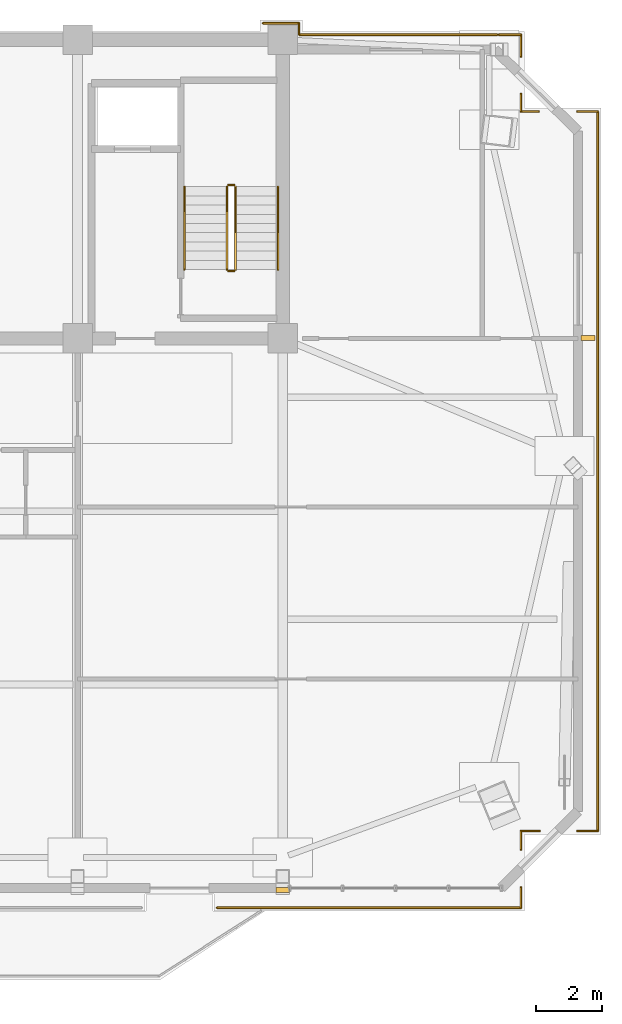
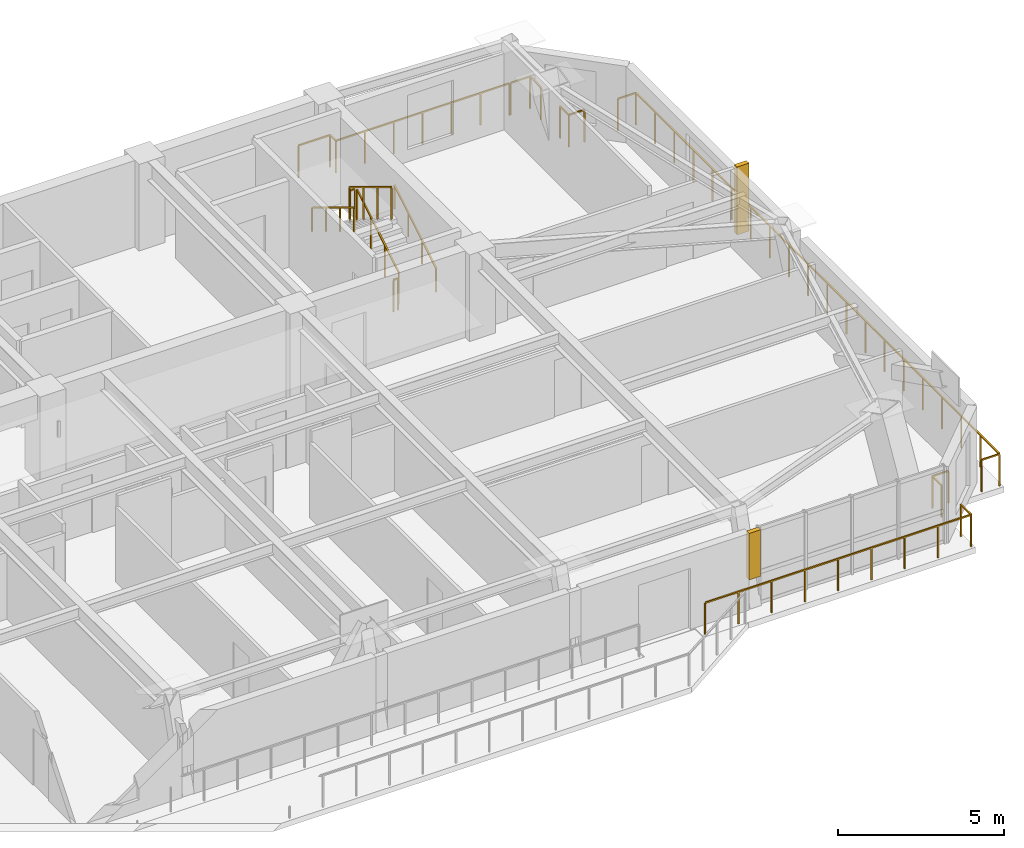
# One storey, part 14 of 14: 20 railings, 1 covering, 1 shading device.
"""IFC4 building model written with IfcOpenShell, lengths in metres."""

from ifc_helpers import new_model, si_unit, direction, frame, origin, origin_2d, place, context, subcontext, project, spatial, polyline, rectangle, outline, extrude, source, transform, mapped, material, layer, layer_set, type_object, element, save


model = new_model("IFC4")

# Units and contexts
model_context = context("Model", 3, precision=1e-05, world=origin(), true_north=direction((0.0, 1.0)))
body_context = subcontext(model_context, "Body", "Model", "MODEL_VIEW")
ifc_project = project(units=[si_unit("LENGTHUNIT", "METRE"), si_unit("AREAUNIT", "SQUARE_METRE"), si_unit("VOLUMEUNIT", "CUBIC_METRE"), si_unit("PLANEANGLEUNIT", "RADIAN"), si_unit("MASSUNIT", "GRAM", prefix="KILO")], contexts=[model_context])

# Site, building, storey
site_placement = place(None, origin())
site = spatial("IfcSite", under=ifc_project, at=site_placement, CompositionType="ELEMENT")
building_placement = place(site_placement, origin())
building = spatial("IfcBuilding", under=site, at=building_placement, Name="Giltprow Tower", CompositionType="ELEMENT")
storey_placement = place(building_placement, frame((0.0, 0.0, 321.0)))
storey = spatial("IfcBuildingStorey", under=building, at=storey_placement, Name="L83", CompositionType="ELEMENT", Elevation=321.0)

# Covering
ifc_material = material(Name="Anodized bronze", Category="metal")
ifc_layer = layer(ifc_material, 0.0400390625, Name="Anodized bronze")
ifc_layer_set = layer_set([ifc_layer], Name="Anodized bronze")
covering_type = type_object("IfcCoveringType", Name="COV-SOFFIT-BRONZE", PredefinedType="CLADDING", material=ifc_layer_set)
covering_placement = place(storey_placement, frame((0.0, 0.0, 1.10009765625)))
element("IfcCovering", 1, at=covering_placement, inside=storey, type_object=covering_type, Name="L83 Setback Pier Closure Cladding S-5", PredefinedType="CLADDING", context=body_context, shape_type="SweptSolid", body=[
    extrude(outline(polyline([(50.35009765625, 20.56396484375), (50.75, 20.56396484375), (50.75, 20.72412109375), (50.35009765625, 20.72412109375), (50.35009765625, 20.56396484375)])), origin(), (0.0, 0.0, 1.0), 1.71484375),
])

# Railings
railing_type_1 = type_object("IfcRailingType", Name="RAIL-BALC-GUARD-1200", PredefinedType="BALUSTRADE", material=ifc_material)
railing_1_placement = place(storey_placement, frame((60.14599609375, 44.362060546875, 0.0)))
element("IfcRailing", 2, at=railing_1_placement, inside=storey, type_object=railing_type_1, Name="L83 Corner Apron Edge Balustrade 1", PredefinedType="BALUSTRADE", context=body_context, shape_type="SweptSolid", body=[
    extrude(rectangle(XDim=0.048095703125, YDim=0.048095703125, at=origin_2d()), frame((0.0, 0.0, 1.17578125), z_axis=(0.0, -1.0, 0.0), x_axis=(1.0, 0.0, 0.0)), (0.0, 0.0, 1.0), 21.920166015625),
    extrude(rectangle(XDim=0.0419921875, YDim=0.0419921875, at=origin_2d()), origin(), (0.0, 0.0, 1.0), 1.15185546875),
    extrude(rectangle(XDim=0.0419921875, YDim=0.0419921875, at=origin_2d()), frame((0.0, -1.15380859375, 0.0)), (0.0, 0.0, 1.0), 1.15185546875),
    extrude(rectangle(XDim=0.0419921875, YDim=0.0419921875, at=origin_2d()), frame((0.0, -2.307373046875, 0.0)), (0.0, 0.0, 1.0), 1.15185546875),
    extrude(rectangle(XDim=0.0419921875, YDim=0.0419921875, at=origin_2d()), frame((0.0, -3.461181640625, 0.0)), (0.0, 0.0, 1.0), 1.15185546875),
    extrude(rectangle(XDim=0.0419921875, YDim=0.0419921875, at=origin_2d()), frame((0.0, -4.61474609375, 0.0)), (0.0, 0.0, 1.0), 1.15185546875),
    extrude(rectangle(XDim=0.0419921875, YDim=0.0419921875, at=origin_2d()), frame((0.0, -5.7685546875, 0.0)), (0.0, 0.0, 1.0), 1.15185546875),
    extrude(rectangle(XDim=0.0419921875, YDim=0.0419921875, at=origin_2d()), frame((0.0, -6.922119140625, 0.0)), (0.0, 0.0, 1.0), 1.15185546875),
    extrude(rectangle(XDim=0.0419921875, YDim=0.0419921875, at=origin_2d()), frame((0.0, -8.075927734375, 0.0)), (0.0, 0.0, 1.0), 1.15185546875),
    extrude(rectangle(XDim=0.0419921875, YDim=0.0419921875, at=origin_2d()), frame((0.0, -9.2294921875, 0.0)), (0.0, 0.0, 1.0), 1.15185546875),
    extrude(rectangle(XDim=0.0419921875, YDim=0.0419921875, at=origin_2d()), frame((0.0, -10.38330078125, 0.0)), (0.0, 0.0, 1.0), 1.15185546875),
    extrude(rectangle(XDim=0.0419921875, YDim=0.0419921875, at=origin_2d()), frame((0.0, -11.536865234375, 0.0)), (0.0, 0.0, 1.0), 1.15185546875),
    extrude(rectangle(XDim=0.0419921875, YDim=0.0419921875, at=origin_2d()), frame((0.0, -12.690673828125, 0.0)), (0.0, 0.0, 1.0), 1.15185546875),
    extrude(rectangle(XDim=0.0419921875, YDim=0.0419921875, at=origin_2d()), frame((0.0, -13.84423828125, 0.0)), (0.0, 0.0, 1.0), 1.15185546875),
    extrude(rectangle(XDim=0.0419921875, YDim=0.0419921875, at=origin_2d()), frame((0.0, -14.998046875, 0.0)), (0.0, 0.0, 1.0), 1.15185546875),
    extrude(rectangle(XDim=0.0419921875, YDim=0.0419921875, at=origin_2d()), frame((0.0, -16.151611328125, 0.0)), (0.0, 0.0, 1.0), 1.15185546875),
    extrude(rectangle(XDim=0.0419921875, YDim=0.0419921875, at=origin_2d()), frame((0.0, -17.305419921875, 0.0)), (0.0, 0.0, 1.0), 1.15185546875),
    extrude(rectangle(XDim=0.0419921875, YDim=0.0419921875, at=origin_2d()), frame((0.0, -18.458984375, 0.0)), (0.0, 0.0, 1.0), 1.15185546875),
    extrude(rectangle(XDim=0.0419921875, YDim=0.0419921875, at=origin_2d()), frame((0.0, -19.61279296875, 0.0)), (0.0, 0.0, 1.0), 1.15185546875),
    extrude(rectangle(XDim=0.0419921875, YDim=0.0419921875, at=origin_2d()), frame((0.0, -20.766357421875, 0.0)), (0.0, 0.0, 1.0), 1.15185546875),
    extrude(rectangle(XDim=0.0419921875, YDim=0.0419921875, at=origin_2d()), frame((0.0, -21.920166015625, 0.0)), (0.0, 0.0, 1.0), 1.15185546875),
])
railing_2_placement = place(storey_placement, frame((60.14599609375, 22.44189453125, 0.0)))
element("IfcRailing", 3, at=railing_2_placement, inside=storey, type_object=railing_type_1, Name="L83 Corner Apron Edge Balustrade 2", PredefinedType="BALUSTRADE", context=body_context, shape_type="SweptSolid", body=[
    extrude(rectangle(XDim=0.048095703125, YDim=0.048095703125, at=origin_2d()), frame((0.0, 0.0, 1.17578125), z_axis=(-1.0, 0.0, 0.0), x_axis=(0.0, -1.0, 0.0)), (0.0, 0.0, 1.0), 0.6201171875),
    extrude(rectangle(XDim=0.0419921875, YDim=0.0419921875, at=origin_2d()), origin(), (0.0, 0.0, 1.0), 1.15185546875),
    extrude(rectangle(XDim=0.0419921875, YDim=0.0419921875, at=origin_2d()), frame((-0.6201171875, 0.0, 0.0)), (0.0, 0.0, 1.0), 1.15185546875),
])
railing_3_placement = place(storey_placement, frame((58.365966796875, 22.44189453125, 0.0)))
element("IfcRailing", 4, at=railing_3_placement, inside=storey, type_object=railing_type_1, Name="L83 Corner Apron Edge Balustrade 3", PredefinedType="BALUSTRADE", context=body_context, shape_type="SweptSolid", body=[
    extrude(rectangle(XDim=0.048095703125, YDim=0.048095703125, at=origin_2d()), frame((0.0, 0.0, 1.17578125), z_axis=(-1.0, 0.0, 0.0), x_axis=(0.0, -1.0, 0.0)), (0.0, 0.0, 1.0), 0.557861328125),
    extrude(rectangle(XDim=0.0419921875, YDim=0.0419921875, at=origin_2d()), origin(), (0.0, 0.0, 1.0), 1.15185546875),
    extrude(rectangle(XDim=0.0419921875, YDim=0.0419921875, at=origin_2d()), frame((-0.557861328125, 0.0, 0.0)), (0.0, 0.0, 1.0), 1.15185546875),
])
railing_4_placement = place(storey_placement, frame((57.80810546875, 22.44189453125, 0.0)))
element("IfcRailing", 5, at=railing_4_placement, inside=storey, type_object=railing_type_1, Name="L83 Corner Apron Edge Balustrade 4", PredefinedType="BALUSTRADE", context=body_context, shape_type="SweptSolid", body=[
    extrude(rectangle(XDim=0.048095703125, YDim=0.048095703125, at=origin_2d()), frame((0.0, 0.0, 1.17578125), z_axis=(0.0, -1.0, 0.0), x_axis=(1.0, 0.0, 0.0)), (0.0, 0.0, 1.0), 0.557861328125),
    extrude(rectangle(XDim=0.0419921875, YDim=0.0419921875, at=origin_2d()), origin(), (0.0, 0.0, 1.0), 1.15185546875),
    extrude(rectangle(XDim=0.0419921875, YDim=0.0419921875, at=origin_2d()), frame((0.0, -0.557861328125, 0.0)), (0.0, 0.0, 1.0), 1.15185546875),
])
railing_5_placement = place(storey_placement, frame((57.80810546875, 20.72412109375, 0.0)))
element("IfcRailing", 6, at=railing_5_placement, inside=storey, type_object=railing_type_1, Name="L83 Corner Apron Edge Balustrade 5", PredefinedType="BALUSTRADE", context=body_context, shape_type="SweptSolid", body=[
    extrude(rectangle(XDim=0.048095703125, YDim=0.048095703125, at=origin_2d()), frame((0.0, 0.0, 1.17578125), z_axis=(0.0, -1.0, 0.0), x_axis=(1.0, 0.0, 0.0)), (0.0, 0.0, 1.0), 0.6201171875),
    extrude(rectangle(XDim=0.0419921875, YDim=0.0419921875, at=origin_2d()), origin(), (0.0, 0.0, 1.0), 1.15185546875),
    extrude(rectangle(XDim=0.0419921875, YDim=0.0419921875, at=origin_2d()), frame((0.0, -0.6201171875, 0.0)), (0.0, 0.0, 1.0), 1.15185546875),
])
railing_6_placement = place(storey_placement, frame((57.80810546875, 20.10400390625, 0.0)))
element("IfcRailing", 7, at=railing_6_placement, inside=storey, type_object=railing_type_1, Name="L83 Corner Apron Edge Balustrade 6", PredefinedType="BALUSTRADE", context=body_context, shape_type="SweptSolid", body=[
    extrude(rectangle(XDim=0.048095703125, YDim=0.048095703125, at=origin_2d()), frame((0.0, 0.0, 1.17578125), z_axis=(-1.0, 0.0, 0.0), x_axis=(0.0, -1.0, 0.0)), (0.0, 0.0, 1.0), 9.258056640625),
    extrude(rectangle(XDim=0.0419921875, YDim=0.0419921875, at=origin_2d()), origin(), (0.0, 0.0, 1.0), 1.15185546875),
    extrude(rectangle(XDim=0.0419921875, YDim=0.0419921875, at=origin_2d()), frame((-1.1572265625, 0.0, 0.0)), (0.0, 0.0, 1.0), 1.15185546875),
    extrude(rectangle(XDim=0.0419921875, YDim=0.0419921875, at=origin_2d()), frame((-2.314453125, 0.0, 0.0)), (0.0, 0.0, 1.0), 1.15185546875),
    extrude(rectangle(XDim=0.0419921875, YDim=0.0419921875, at=origin_2d()), frame((-3.4716796875, 0.0, 0.0)), (0.0, 0.0, 1.0), 1.15185546875),
    extrude(rectangle(XDim=0.0419921875, YDim=0.0419921875, at=origin_2d()), frame((-4.62890625, 0.0, 0.0)), (0.0, 0.0, 1.0), 1.15185546875),
    extrude(rectangle(XDim=0.0419921875, YDim=0.0419921875, at=origin_2d()), frame((-5.786376953125, 0.0, 0.0)), (0.0, 0.0, 1.0), 1.15185546875),
    extrude(rectangle(XDim=0.0419921875, YDim=0.0419921875, at=origin_2d()), frame((-6.943603515625, 0.0, 0.0)), (0.0, 0.0, 1.0), 1.15185546875),
    extrude(rectangle(XDim=0.0419921875, YDim=0.0419921875, at=origin_2d()), frame((-8.100830078125, 0.0, 0.0)), (0.0, 0.0, 1.0), 1.15185546875),
    extrude(rectangle(XDim=0.0419921875, YDim=0.0419921875, at=origin_2d()), frame((-9.258056640625, 0.0, 0.0)), (0.0, 0.0, 1.0), 1.15185546875),
])
railing_7_placement = place(storey_placement, frame((49.949951171875, 47.050048828125, 0.0)))
element("IfcRailing", 8, at=railing_7_placement, inside=storey, type_object=railing_type_1, Name="L83 Corner Apron Edge Balustrade 22", PredefinedType="BALUSTRADE", context=body_context, shape_type="SweptSolid", body=[
    extrude(rectangle(XDim=0.048095703125, YDim=0.048095703125, at=origin_2d()), frame((0.0, 0.0, 1.17578125), z_axis=(1.0, 0.0, 0.0), x_axis=(0.0, 1.0, 0.0)), (0.0, 0.0, 1.0), 1.10009765625),
    extrude(rectangle(XDim=0.0419921875, YDim=0.0419921875, at=origin_2d()), origin(), (0.0, 0.0, 1.0), 1.15185546875),
    extrude(rectangle(XDim=0.0419921875, YDim=0.0419921875, at=origin_2d()), frame((1.10009765625, 0.0, 0.0)), (0.0, 0.0, 1.0), 1.15185546875),
])
railing_8_placement = place(storey_placement, frame((51.050048828125, 47.050048828125, 0.0)))
element("IfcRailing", 9, at=railing_8_placement, inside=storey, type_object=railing_type_1, Name="L83 Corner Apron Edge Balustrade 23", PredefinedType="BALUSTRADE", context=body_context, shape_type="SweptSolid", body=[
    extrude(rectangle(XDim=0.048095703125, YDim=0.048095703125, at=origin_2d()), frame((0.0, 0.0, 1.17578125), z_axis=(0.0, -1.0, 0.0), x_axis=(1.0, 0.0, 0.0)), (0.0, 0.0, 1.0), 0.35009765625),
    extrude(rectangle(XDim=0.0419921875, YDim=0.0419921875, at=origin_2d()), origin(), (0.0, 0.0, 1.0), 1.15185546875),
    extrude(rectangle(XDim=0.0419921875, YDim=0.0419921875, at=origin_2d()), frame((0.0, -0.35009765625, 0.0)), (0.0, 0.0, 1.0), 1.15185546875),
])
railing_9_placement = place(storey_placement, frame((51.050048828125, 46.699951171875, 0.0)))
element("IfcRailing", 10, at=railing_9_placement, inside=storey, type_object=railing_type_1, Name="L83 Corner Apron Edge Balustrade 24", PredefinedType="BALUSTRADE", context=body_context, shape_type="SweptSolid", body=[
    extrude(rectangle(XDim=0.048095703125, YDim=0.048095703125, at=origin_2d()), frame((0.0, 0.0, 1.17578125), z_axis=(1.0, 0.0, 0.0), x_axis=(0.0, 1.0, 0.0)), (0.0, 0.0, 1.0), 6.034912109375),
    extrude(rectangle(XDim=0.0419921875, YDim=0.0419921875, at=origin_2d()), origin(), (0.0, 0.0, 1.0), 1.15185546875),
    extrude(rectangle(XDim=0.0419921875, YDim=0.0419921875, at=origin_2d()), frame((1.005859375, 0.0, 0.0)), (0.0, 0.0, 1.0), 1.15185546875),
    extrude(rectangle(XDim=0.0419921875, YDim=0.0419921875, at=origin_2d()), frame((2.01171875, 0.0, 0.0)), (0.0, 0.0, 1.0), 1.15185546875),
    extrude(rectangle(XDim=0.0419921875, YDim=0.0419921875, at=origin_2d()), frame((3.017578125, 0.0, 0.0)), (0.0, 0.0, 1.0), 1.15185546875),
    extrude(rectangle(XDim=0.0419921875, YDim=0.0419921875, at=origin_2d()), frame((4.023193359375, 0.0, 0.0)), (0.0, 0.0, 1.0), 1.15185546875),
    extrude(rectangle(XDim=0.0419921875, YDim=0.0419921875, at=origin_2d()), frame((5.029052734375, 0.0, 0.0)), (0.0, 0.0, 1.0), 1.15185546875),
    extrude(rectangle(XDim=0.0419921875, YDim=0.0419921875, at=origin_2d()), frame((6.034912109375, 0.0, 0.0)), (0.0, 0.0, 1.0), 1.15185546875),
])
railing_10_placement = place(storey_placement, frame((57.135009765625, 46.699951171875, 0.0)))
element("IfcRailing", 11, at=railing_10_placement, inside=storey, type_object=railing_type_1, Name="L83 Corner Apron Edge Balustrade 25", PredefinedType="BALUSTRADE", context=body_context, shape_type="SweptSolid", body=[
    extrude(rectangle(XDim=0.048095703125, YDim=0.048095703125, at=origin_2d()), frame((0.0, 0.0, 1.17578125), z_axis=(1.0, 0.0, 0.0), x_axis=(0.0, 1.0, 0.0)), (0.0, 0.0, 1.0), 0.673095703125),
    extrude(rectangle(XDim=0.0419921875, YDim=0.0419921875, at=origin_2d()), origin(), (0.0, 0.0, 1.0), 1.15185546875),
    extrude(rectangle(XDim=0.0419921875, YDim=0.0419921875, at=origin_2d()), frame((0.673095703125, 0.0, 0.0)), (0.0, 0.0, 1.0), 1.15185546875),
])
railing_11_placement = place(storey_placement, frame((57.80810546875, 46.699951171875, 0.0)))
element("IfcRailing", 12, at=railing_11_placement, inside=storey, type_object=railing_type_1, Name="L83 Corner Apron Edge Balustrade 26", PredefinedType="BALUSTRADE", context=body_context, shape_type="SweptSolid", body=[
    extrude(rectangle(XDim=0.048095703125, YDim=0.048095703125, at=origin_2d()), frame((0.0, 0.0, 1.17578125), z_axis=(0.0, -1.0, 0.0), x_axis=(1.0, 0.0, 0.0)), (0.0, 0.0, 1.0), 0.659912109375),
    extrude(rectangle(XDim=0.0419921875, YDim=0.0419921875, at=origin_2d()), origin(), (0.0, 0.0, 1.0), 1.15185546875),
    extrude(rectangle(XDim=0.0419921875, YDim=0.0419921875, at=origin_2d()), frame((0.0, -0.659912109375, 0.0)), (0.0, 0.0, 1.0), 1.15185546875),
])
railing_12_placement = place(storey_placement, frame((57.80810546875, 44.89208984375, 0.0)))
element("IfcRailing", 13, at=railing_12_placement, inside=storey, type_object=railing_type_1, Name="L83 Corner Apron Edge Balustrade 27", PredefinedType="BALUSTRADE", context=body_context, shape_type="SweptSolid", body=[
    extrude(rectangle(XDim=0.048095703125, YDim=0.048095703125, at=origin_2d()), frame((0.0, 0.0, 1.17578125), z_axis=(0.0, -1.0, 0.0), x_axis=(1.0, 0.0, 0.0)), (0.0, 0.0, 1.0), 0.530029296875),
    extrude(rectangle(XDim=0.0419921875, YDim=0.0419921875, at=origin_2d()), origin(), (0.0, 0.0, 1.0), 1.15185546875),
    extrude(rectangle(XDim=0.0419921875, YDim=0.0419921875, at=origin_2d()), frame((0.0, -0.530029296875, 0.0)), (0.0, 0.0, 1.0), 1.15185546875),
])
railing_13_placement = place(storey_placement, frame((57.80810546875, 44.362060546875, 0.0)))
element("IfcRailing", 14, at=railing_13_placement, inside=storey, type_object=railing_type_1, Name="L83 Corner Apron Edge Balustrade 28", PredefinedType="BALUSTRADE", context=body_context, shape_type="SweptSolid", body=[
    extrude(rectangle(XDim=0.048095703125, YDim=0.048095703125, at=origin_2d()), frame((0.0, 0.0, 1.17578125), z_axis=(1.0, 0.0, 0.0), x_axis=(0.0, 1.0, 0.0)), (0.0, 0.0, 1.0), 0.539794921875),
    extrude(rectangle(XDim=0.0419921875, YDim=0.0419921875, at=origin_2d()), origin(), (0.0, 0.0, 1.0), 1.15185546875),
    extrude(rectangle(XDim=0.0419921875, YDim=0.0419921875, at=origin_2d()), frame((0.539794921875, 0.0, 0.0)), (0.0, 0.0, 1.0), 1.15185546875),
])
railing_14_placement = place(storey_placement, frame((59.52001953125, 44.362060546875, 0.0)))
element("IfcRailing", 15, at=railing_14_placement, inside=storey, type_object=railing_type_1, Name="L83 Corner Apron Edge Balustrade 29", PredefinedType="BALUSTRADE", context=body_context, shape_type="SweptSolid", body=[
    extrude(rectangle(XDim=0.048095703125, YDim=0.048095703125, at=origin_2d()), frame((0.0, 0.0, 1.17578125), z_axis=(1.0, 0.0, 0.0), x_axis=(0.0, 1.0, 0.0)), (0.0, 0.0, 1.0), 0.6259765625),
    extrude(rectangle(XDim=0.0419921875, YDim=0.0419921875, at=origin_2d()), origin(), (0.0, 0.0, 1.0), 1.15185546875),
    extrude(rectangle(XDim=0.0419921875, YDim=0.0419921875, at=origin_2d()), frame((0.6259765625, 0.0, 0.0)), (0.0, 0.0, 1.0), 1.15185546875),
])
railing_type_2 = type_object("IfcRailingType", Name="RAIL-STAIR-GUARD-1200", PredefinedType="GUARDRAIL", material=ifc_material)
railing_15_placement = place(storey_placement, frame((49.110107421875, 39.550048828125, 0.169921875)))
element("IfcRailing", 16, at=railing_15_placement, inside=storey, type_object=railing_type_2, Name="L83 ST-3 stair guard 1", PredefinedType="GUARDRAIL", context=body_context, shape_type="SweptSolid", body=[
    extrude(rectangle(XDim=0.048095703125, YDim=0.048095703125, at=origin_2d()), frame((0.0, 0.0, 1.17578125), z_axis=(0.0, 0.85478489116, 0.518982456201), x_axis=(-1.0, 0.0, 0.0)), (0.0, 0.0, 1.0), 2.9482421875),
    extrude(rectangle(XDim=0.0419921875, YDim=0.0419921875, at=origin_2d()), origin(), (0.0, 0.0, 1.0), 1.15185546875),
    extrude(rectangle(XDim=0.0419921875, YDim=0.0419921875, at=origin_2d()), frame((0.0, 0.840087890625, 0.510009765625)), (0.0, 0.0, 1.0), 1.15185546875),
    extrude(rectangle(XDim=0.0419921875, YDim=0.0419921875, at=origin_2d()), frame((0.0, 1.679931640625, 1.02001953125)), (0.0, 0.0, 1.0), 1.15185546875),
    extrude(rectangle(XDim=0.0419921875, YDim=0.0419921875, at=origin_2d()), frame((0.0, 2.52001953125, 1.530029296875)), (0.0, 0.0, 1.0), 1.15185546875),
])
railing_16_placement = place(storey_placement, frame((49.06005859375, 42.1201171875, 1.699951171875)))
element("IfcRailing", 17, at=railing_16_placement, inside=storey, type_object=railing_type_2, Name="L83 ST-3 stair guard 2", PredefinedType="GUARDRAIL", context=body_context, shape_type="SweptSolid", body=[
    extrude(rectangle(XDim=0.048095703125, YDim=0.048095703125, at=origin_2d()), frame((0.0, 0.0, 1.17578125), z_axis=(-1.0, 0.0, 0.0), x_axis=(0.0, -1.0, 0.0)), (0.0, 0.0, 1.0), 0.16015625),
    extrude(rectangle(XDim=0.0419921875, YDim=0.0419921875, at=origin_2d()), origin(), (0.0, 0.0, 1.0), 1.15185546875),
    extrude(rectangle(XDim=0.0419921875, YDim=0.0419921875, at=origin_2d()), frame((-0.16015625, 0.0, 0.0)), (0.0, 0.0, 1.0), 1.15185546875),
])
railing_17_placement = place(storey_placement, frame((48.85009765625, 42.070068359375, 1.8701171875)))
element("IfcRailing", 18, at=railing_17_placement, inside=storey, type_object=railing_type_2, Name="L83 ST-3 stair guard 3", PredefinedType="GUARDRAIL", context=body_context, shape_type="SweptSolid", body=[
    extrude(rectangle(XDim=0.048095703125, YDim=0.048095703125, at=origin_2d()), frame((0.0, 0.0, 1.17578125), z_axis=(0.0, -0.854821627497, 0.518921945155), x_axis=(1.0, 0.0, 0.0)), (0.0, 0.0, 1.0), 2.947998046875),
    extrude(rectangle(XDim=0.0419921875, YDim=0.0419921875, at=origin_2d()), origin(), (0.0, 0.0, 1.0), 1.15185546875),
    extrude(rectangle(XDim=0.0419921875, YDim=0.0419921875, at=origin_2d()), frame((0.0, -0.840087890625, 0.510009765625)), (0.0, 0.0, 1.0), 1.15185546875),
    extrude(rectangle(XDim=0.0419921875, YDim=0.0419921875, at=origin_2d()), frame((0.0, -1.679931640625, 1.019775390625)), (0.0, 0.0, 1.0), 1.15185546875),
    extrude(rectangle(XDim=0.0419921875, YDim=0.0419921875, at=origin_2d()), frame((0.0, -2.52001953125, 1.52978515625)), (0.0, 0.0, 1.0), 1.15185546875),
])
railing_18_placement = place(storey_placement, frame((49.06005859375, 39.5, 0.0)))
element("IfcRailing", 19, at=railing_18_placement, inside=storey, type_object=railing_type_2, Name="L83 ST-3 stair guard 4", PredefinedType="GUARDRAIL", context=body_context, shape_type="SweptSolid", body=[
    extrude(rectangle(XDim=0.048095703125, YDim=0.048095703125, at=origin_2d()), frame((0.0, 0.0, 1.17578125), z_axis=(-1.0, 0.0, 0.0), x_axis=(0.0, -1.0, 0.0)), (0.0, 0.0, 1.0), 0.16015625),
    extrude(rectangle(XDim=0.0419921875, YDim=0.0419921875, at=origin_2d()), origin(), (0.0, 0.0, 1.0), 1.15185546875),
    extrude(rectangle(XDim=0.0419921875, YDim=0.0419921875, at=origin_2d()), frame((-0.16015625, 0.0, 0.0)), (0.0, 0.0, 1.0), 1.15185546875),
])
railing_type_3 = type_object("IfcRailingType", Name="RAIL-STAIR-HAND-900", PredefinedType="HANDRAIL", material=ifc_material)
railing_19_placement = place(storey_placement, frame((50.409912109375, 39.550048828125, 0.169921875)))
element("IfcRailing", 20, at=railing_19_placement, inside=storey, type_object=railing_type_3, Name="L83 ST-3 stair handrail 1", PredefinedType="HANDRAIL", context=body_context, shape_type="SweptSolid", body=[
    extrude(rectangle(XDim=0.048095703125, YDim=0.048095703125, at=origin_2d()), frame((0.0, 0.0, 0.8759765625), z_axis=(0.0, 0.85478489116, 0.518982456201), x_axis=(-1.0, 0.0, 0.0)), (0.0, 0.0, 1.0), 2.9482421875),
    extrude(rectangle(XDim=0.0419921875, YDim=0.0419921875, at=origin_2d()), origin(), (0.0, 0.0, 1.0), 0.851806640625),
    extrude(rectangle(XDim=0.0419921875, YDim=0.0419921875, at=origin_2d()), frame((0.0, 0.840087890625, 0.510009765625)), (0.0, 0.0, 1.0), 0.851806640625),
    extrude(rectangle(XDim=0.0419921875, YDim=0.0419921875, at=origin_2d()), frame((0.0, 1.679931640625, 1.02001953125)), (0.0, 0.0, 1.0), 0.851806640625),
    extrude(rectangle(XDim=0.0419921875, YDim=0.0419921875, at=origin_2d()), frame((0.0, 2.52001953125, 1.530029296875)), (0.0, 0.0, 1.0), 0.851806640625),
])
railing_20_placement = place(storey_placement, frame((47.550048828125, 42.070068359375, 1.8701171875)))
element("IfcRailing", 21, at=railing_20_placement, inside=storey, type_object=railing_type_3, Name="L83 ST-3 stair handrail 2", PredefinedType="HANDRAIL", context=body_context, shape_type="SweptSolid", body=[
    extrude(rectangle(XDim=0.048095703125, YDim=0.048095703125, at=origin_2d()), frame((0.0, 0.0, 0.8759765625), z_axis=(0.0, -0.854821627497, 0.518921945155), x_axis=(1.0, 0.0, 0.0)), (0.0, 0.0, 1.0), 2.947998046875),
    extrude(rectangle(XDim=0.0419921875, YDim=0.0419921875, at=origin_2d()), origin(), (0.0, 0.0, 1.0), 0.851806640625),
    extrude(rectangle(XDim=0.0419921875, YDim=0.0419921875, at=origin_2d()), frame((0.0, -0.840087890625, 0.510009765625)), (0.0, 0.0, 1.0), 0.851806640625),
    extrude(rectangle(XDim=0.0419921875, YDim=0.0419921875, at=origin_2d()), frame((0.0, -1.679931640625, 1.019775390625)), (0.0, 0.0, 1.0), 0.851806640625),
    extrude(rectangle(XDim=0.0419921875, YDim=0.0419921875, at=origin_2d()), frame((0.0, -2.52001953125, 1.52978515625)), (0.0, 0.0, 1.0), 0.851806640625),
])

# Shading device
shading_device_type = type_object("IfcShadingDeviceType", Name="SHD-FIN-420", PredefinedType="USERDEFINED", material=ifc_material)
shared_shape = source(origin(), body_context, "Body", "SweptSolid", [
    extrude(rectangle(XDim=0.419921875, YDim=0.159912109375, at=origin_2d()), origin(), (0.0, 0.0, 1.0), 2.5),
])
shading_device_placement = place(storey_placement, frame((59.845947265625, 37.4619140625, 0.35009765625), z_axis=(0.0, 0.0, 1.0), x_axis=(1.0, 0.0, 0.0)))
element("IfcShadingDevice", 22, at=shading_device_placement, inside=storey, type_object=shading_device_type, Name="L83 E Bronze Vertical Fin 2-1", ObjectType="FIN", PredefinedType="USERDEFINED", context=body_context, shape_type="MappedRepresentation", body=[
    mapped(shared_shape, transform((0.0, 0.0, 0.0), x_axis=(1.0, 0.0, 0.0), y_axis=(0.0, 1.0, 0.0), z_axis=(0.0, 0.0, 1.0), scale=1.0)),
])

save(model, "model.ifc")
